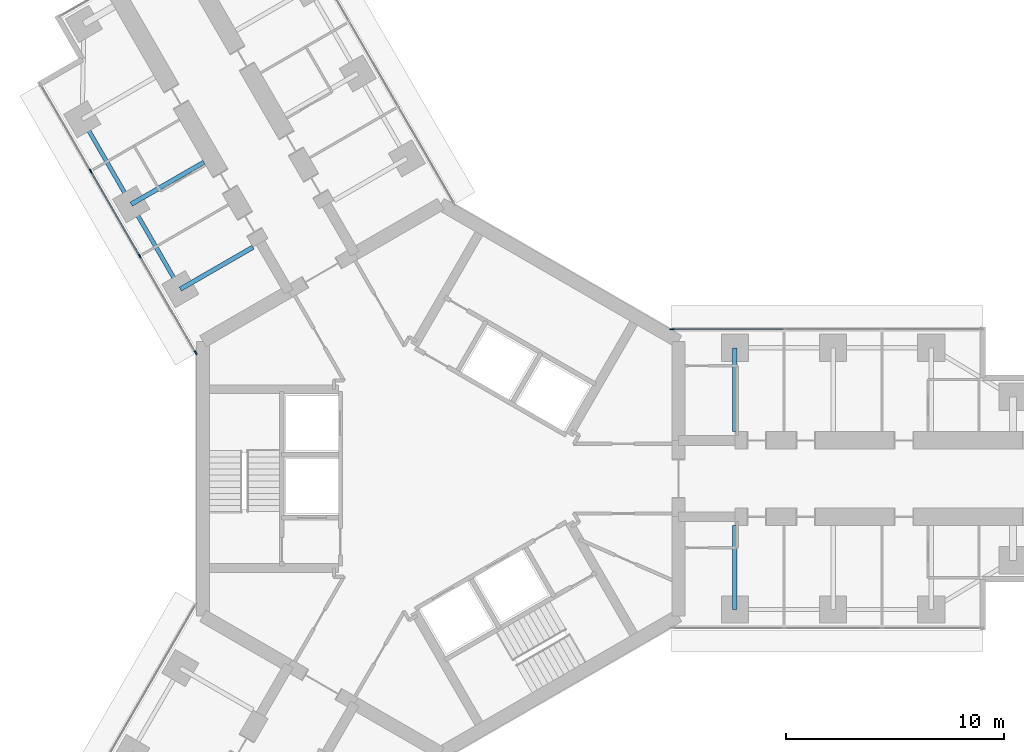
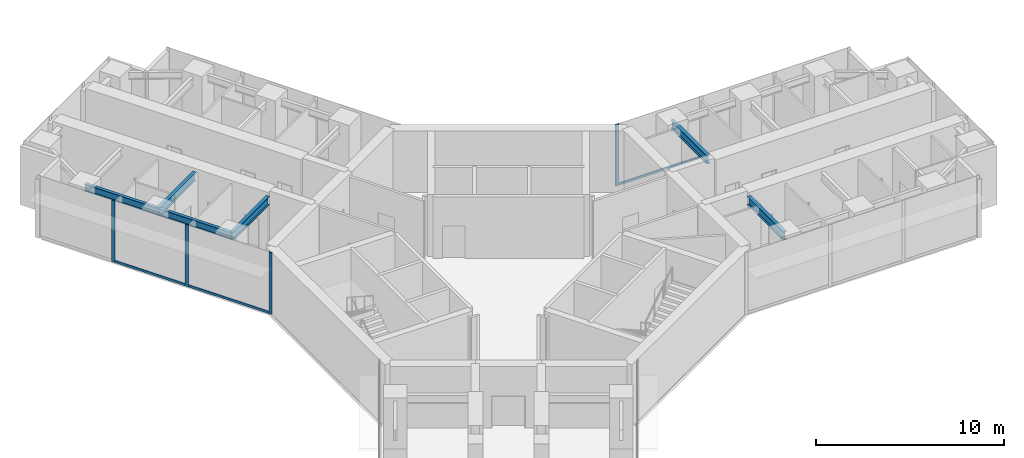
# One storey, part 5 of 23: 7 members, 6 beams, 2 elements without a shape of their own.
"""IFC4 building model written with IfcOpenShell, lengths in metres."""

from ifc_helpers import new_model, si_unit, direction, frame, origin, origin_2d, place, context, subcontext, project, spatial, rectangle, i_section, extrude, material, material_profile, profile_set, type_object, element, aggregate, save


model = new_model("IFC4")

# Units and contexts
model_context = context("Model", 3, precision=1e-05, world=origin(), true_north=direction((0.0, 1.0)))
body_context = subcontext(model_context, "Body", "Model", "MODEL_VIEW")
ifc_project = project(units=[si_unit("LENGTHUNIT", "METRE"), si_unit("AREAUNIT", "SQUARE_METRE"), si_unit("VOLUMEUNIT", "CUBIC_METRE"), si_unit("PLANEANGLEUNIT", "RADIAN"), si_unit("MASSUNIT", "GRAM", prefix="KILO")], contexts=[model_context])

# Site, building, storey
site_placement = place(None, origin())
site = spatial("IfcSite", under=ifc_project, at=site_placement, CompositionType="ELEMENT")
building_placement = place(site_placement, origin())
building = spatial("IfcBuilding", under=site, at=building_placement, Name="Upepo Twin Towers", CompositionType="ELEMENT")
storey_placement = place(building_placement, frame((0.0, 0.0, 145.5)))
storey = spatial("IfcBuildingStorey", under=building, at=storey_placement, Name="L35", CompositionType="ELEMENT", Elevation=145.5)

# Beams
ifc_material_1 = material(Name="Steel S355", Category="steel")
ifc_material_profile_1 = material_profile(ifc_material_1, i_section(OverallWidth=0.1904296875, OverallDepth=0.45703125, WebThickness=0.009033203125, FlangeThickness=0.014404296875, FilletRadius=0.01025390625, at=origin_2d()), Name="UB 457x191x74")
ifc_profile_set_1 = profile_set([ifc_material_profile_1], Name="Steel S355")
beam_type_1 = type_object("IfcBeamType", Name="Beam UB 457x191x74", PredefinedType="BEAM", material=ifc_profile_set_1)
beam_1_placement = place(storey_placement, frame((-11.946044921875, 8.69140625, 3.571533203125), z_axis=(-0.500013631625, 0.866017533419, 0.0), x_axis=(-0.866017533419, -0.500013631625, 0.0)))
element("IfcBeam", 1, at=beam_1_placement, inside=storey, type_object=beam_type_1, Name="T1 edge beam BL 13.5-18.0", PredefinedType="BEAM", context=body_context, shape_type="SweptSolid", body=[
    extrude(i_section(OverallWidth=0.1904296875, OverallDepth=0.45703125, WebThickness=0.009033203125, FlangeThickness=0.014404296875, FilletRadius=0.01025390625, at=origin_2d()), origin(), (0.0, 0.0, 1.0), 4.499755859375),
])
beam_2_placement = place(storey_placement, frame((-14.196044921875, 12.58837890625, 3.571533203125), z_axis=(-0.499990139034, 0.866031096941, 0.0), x_axis=(-0.866031096941, -0.499990139034, 0.0)))
element("IfcBeam", 2, at=beam_2_placement, inside=storey, type_object=beam_type_1, Name="T1 edge beam BL 18.0-22.5", PredefinedType="BEAM", context=body_context, shape_type="SweptSolid", body=[
    extrude(i_section(OverallWidth=0.1904296875, OverallDepth=0.45703125, WebThickness=0.009033203125, FlangeThickness=0.014404296875, FilletRadius=0.01025390625, at=origin_2d()), origin(), (0.0, 0.0, 1.0), 4.5),
])
ifc_material_2 = material(Name="Steel S355", Category="steel")
ifc_material_profile_2 = material_profile(ifc_material_2, i_section(OverallWidth=0.209228515625, OverallDepth=0.533203125, WebThickness=0.010009765625, FlangeThickness=0.015625, FilletRadius=0.0126953125, at=origin_2d()), Name="UB 533x210x92")
ifc_profile_set_2 = profile_set([ifc_material_profile_2], Name="Steel S355")
beam_type_2 = type_object("IfcBeamType", Name="Beam UB 533x210x92", PredefinedType="BEAM", material=ifc_profile_set_2)
for number, where, z_axis, x_axis, name in (
    (3, (13.5, 6.0, 3.533447265625), (0.0, -1.0, 0.0), (1.0, 0.0, 0.0), "T1 girder AL at 13.5"),
    (4, (13.5, -6.0, 3.533447265625), (0.0, 1.0, 0.0), (-1.0, 0.0, 0.0), "T1 girder AR at 13.5"),
):
    element("IfcBeam", number, at=place(storey_placement, frame(where, z_axis=z_axis, x_axis=x_axis)), inside=storey, type_object=beam_type_2, Name=name, PredefinedType="BEAM", context=body_context, shape_type="SweptSolid", body=[
        extrude(i_section(OverallWidth=0.209228515625, OverallDepth=0.533203125, WebThickness=0.010009765625, FlangeThickness=0.015625, FilletRadius=0.0126953125, at=origin_2d()), origin(), (0.0, 0.0, 1.0), 3.85009765625),
    ])
for number, where, z_axis, x_axis, name in (
    (5, (-11.946044921875, 8.69140625, 3.533447265625), (0.866006051527, 0.500033517596, 0.0), (-0.500033517596, 0.866006051527, 0.0), "T1 girder BL at 13.5"),
    (6, (-14.196044921875, 12.58837890625, 3.533447265625), (0.866006051527, 0.500033517596, 0.0), (-0.500033517596, 0.866006051527, 0.0), "T1 girder BL at 18.0"),
):
    element("IfcBeam", number, at=place(storey_placement, frame(where, z_axis=z_axis, x_axis=x_axis)), inside=storey, type_object=beam_type_2, Name=name, PredefinedType="BEAM", context=body_context, shape_type="SweptSolid", body=[
        extrude(i_section(OverallWidth=0.209228515625, OverallDepth=0.533203125, WebThickness=0.010009765625, FlangeThickness=0.015625, FilletRadius=0.0126953125, at=origin_2d()), origin(), (0.0, 0.0, 1.0), 3.849853515625),
    ])

# Curtain wall, member
ifc_material_3 = material(Name="Aluminium and fritted glass", Category="aluminium")
curtain_wall_type = type_object("IfcCurtainWallType", Name="Tower curtain wall TW2, fritted glass", PredefinedType="NOTDEFINED", material=ifc_material_3)
curtain_wall_1_placement = place(storey_placement, origin())
curtain_wall_1 = element("IfcCurtainWall", 7, at=curtain_wall_1_placement, inside=storey, type_object=curtain_wall_type, Name="T1 L35 wing A flank L curtain wall", PredefinedType="NOTDEFINED")
ifc_material_4 = material(Name="Aluminium mullion", Category="aluminium")
ifc_material_profile_3 = material_profile(ifc_material_4, rectangle(XDim=0.06494140625, YDim=0.199951171875, at=origin_2d()), Name="MULLION 65x200")
ifc_profile_set_3 = profile_set([ifc_material_profile_3], Name="Aluminium mullion")
member_type_1 = type_object("IfcMemberType", Name="Mullion 65x200 TW2", PredefinedType="MULLION", material=ifc_profile_set_3)
member_1_placement = place(storey_placement, frame((10.61962890625, 6.85009765625, 0.0), z_axis=(0.0, 0.0, 1.0), x_axis=(0.0, 1.0, 0.0)))
member_1 = element("IfcMember", 8, at=member_1_placement, type_object=member_type_1, Name="T1 L35 wing A flank L curtain wall mullion 1", PredefinedType="MULLION", context=body_context, shape_type="SweptSolid", body=[
    extrude(rectangle(XDim=0.06494140625, YDim=0.199951171875, at=origin_2d()), origin(), (0.0, 0.0, 1.0), 4.0),
])

# Curtain wall, members
curtain_wall_2_placement = place(storey_placement, origin())
curtain_wall_2 = element("IfcCurtainWall", 9, at=curtain_wall_2_placement, inside=storey, type_object=curtain_wall_type, Name="T1 L35 wing B flank L curtain wall", PredefinedType="NOTDEFINED")
member_2_placement = place(storey_placement, frame((-11.2421875, 5.77197265625, 0.0), z_axis=(0.0, 0.0, 1.0), x_axis=(-0.866025397833, -0.500000010308, 0.0)))
member_2 = element("IfcMember", 10, at=member_2_placement, type_object=member_type_1, Name="T1 L35 wing B flank L curtain wall mullion 1", PredefinedType="MULLION", context=body_context, shape_type="SweptSolid", body=[
    extrude(rectangle(XDim=0.06494140625, YDim=0.199951171875, at=origin_2d()), origin(), (0.0, 0.0, 1.0), 4.0),
])
member_3_placement = place(storey_placement, frame((-13.807373046875, 10.21484375, 0.0), z_axis=(0.0, 0.0, 1.0), x_axis=(-0.866025397833, -0.500000010308, 0.0)))
member_3 = element("IfcMember", 11, at=member_3_placement, type_object=member_type_1, Name="T1 L35 wing B flank L curtain wall mullion 2", PredefinedType="MULLION", context=body_context, shape_type="SweptSolid", body=[
    extrude(rectangle(XDim=0.06494140625, YDim=0.199951171875, at=origin_2d()), origin(), (0.0, 0.0, 1.0), 4.0),
])
member_4_placement = place(storey_placement, frame((-16.057373046875, 14.112060546875, 0.0), z_axis=(0.0, 0.0, 1.0), x_axis=(-0.866025397833, -0.500000010308, 0.0)))
member_4 = element("IfcMember", 12, at=member_4_placement, type_object=member_type_1, Name="T1 L35 wing B flank L curtain wall mullion 3", PredefinedType="MULLION", context=body_context, shape_type="SweptSolid", body=[
    extrude(rectangle(XDim=0.06494140625, YDim=0.199951171875, at=origin_2d()), origin(), (0.0, 0.0, 1.0), 4.0),
])

# Member
ifc_material_5 = material(Name="Aluminium transom", Category="aluminium")
ifc_material_profile_4 = material_profile(ifc_material_5, rectangle(XDim=0.06494140625, YDim=0.14990234375, at=origin_2d()), Name="TRANSOM 65x150")
ifc_profile_set_4 = profile_set([ifc_material_profile_4], Name="Aluminium transom")
member_type_2 = type_object("IfcMemberType", Name="Transom 65x150 TW2", PredefinedType="USERDEFINED", material=ifc_profile_set_4)
member_5_placement = place(storey_placement, frame((10.652099609375, 6.85009765625, 0.074951171875), z_axis=(1.0, 0.0, 0.0), x_axis=(0.0, 1.0, 0.0)))
member_5 = element("IfcMember", 13, at=member_5_placement, type_object=member_type_2, Name="T1 L35 wing A flank L curtain wall transom 1", ObjectType="TRANSOM", PredefinedType="USERDEFINED", context=body_context, shape_type="SweptSolid", body=[
    extrude(rectangle(XDim=0.06494140625, YDim=0.14990234375, at=origin_2d()), origin(), (0.0, 0.0, 1.0), 5.0654296875),
])

aggregate(curtain_wall_1, [member_1, member_5])

member_6_placement = place(storey_placement, frame((-11.25830078125, 5.800048828125, 0.074951171875), z_axis=(-0.500006158363, 0.866021848223, 0.0), x_axis=(-0.866021848223, -0.500006158363, 0.0)))
member_6 = element("IfcMember", 14, at=member_6_placement, type_object=member_type_2, Name="T1 L35 wing B flank L curtain wall transom 1", ObjectType="TRANSOM", PredefinedType="USERDEFINED", context=body_context, shape_type="SweptSolid", body=[
    extrude(rectangle(XDim=0.06494140625, YDim=0.14990234375, at=origin_2d()), origin(), (0.0, 0.0, 1.0), 5.0654296875),
])

member_7_placement = place(storey_placement, frame((-13.823486328125, 10.2431640625, 0.074951171875), z_axis=(-0.500005184116, 0.866022410713, 0.0), x_axis=(-0.866022410713, -0.500005184116, 0.0)))
member_7 = element("IfcMember", 15, at=member_7_placement, type_object=member_type_2, Name="T1 L35 wing B flank L curtain wall transom 2", ObjectType="TRANSOM", PredefinedType="USERDEFINED", context=body_context, shape_type="SweptSolid", body=[
    extrude(rectangle(XDim=0.06494140625, YDim=0.14990234375, at=origin_2d()), origin(), (0.0, 0.0, 1.0), 4.43505859375),
])

aggregate(curtain_wall_2, [member_2, member_3, member_4, member_6, member_7])

save(model, "model.ifc")
